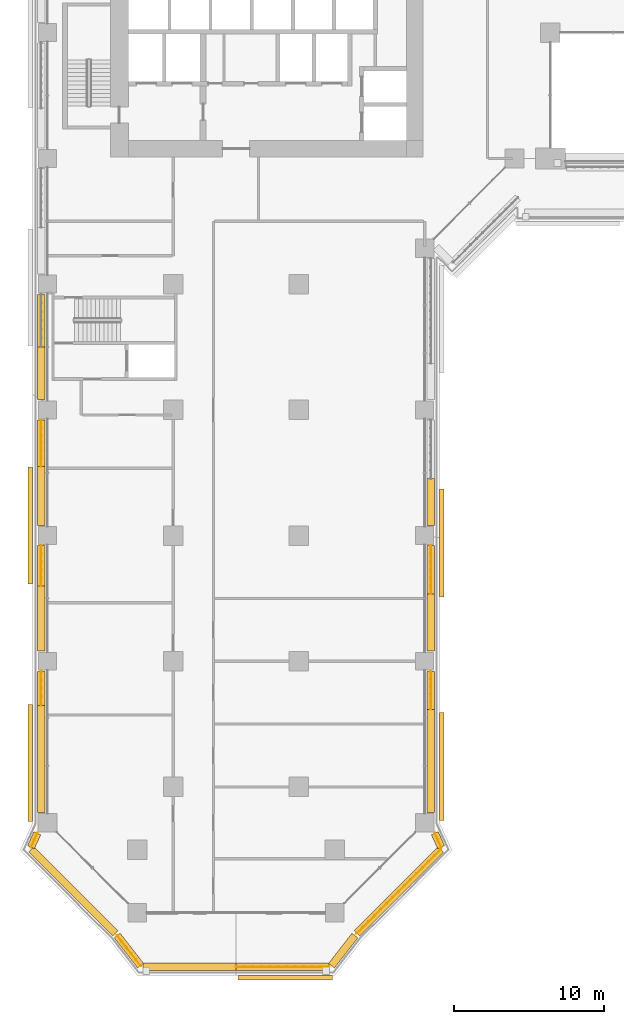
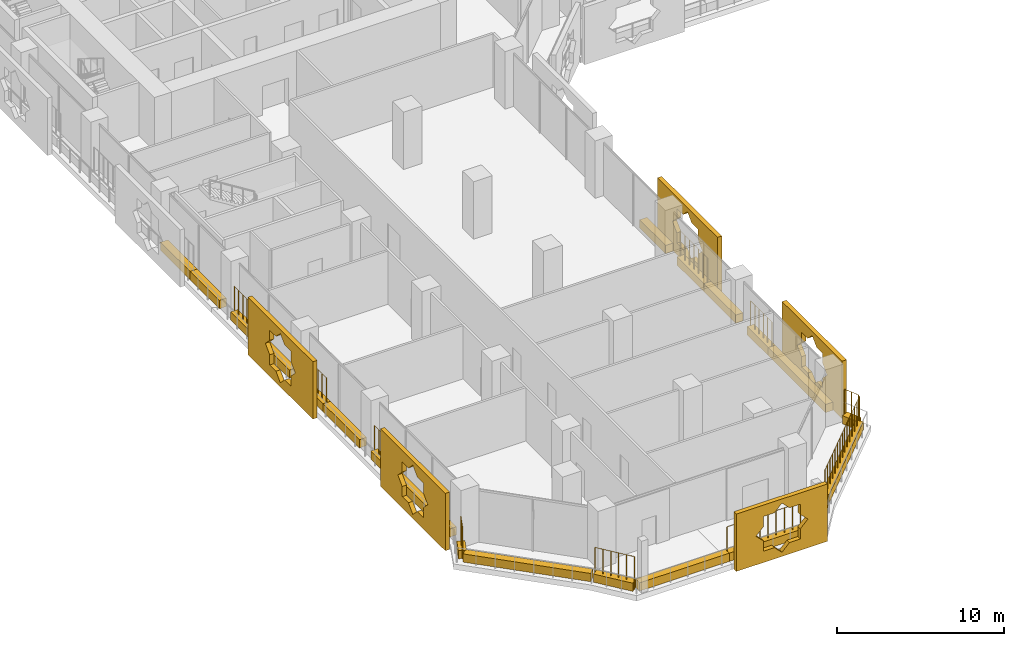
# One storey, part 18 of 27: 26 coverings, 10 railings.
"""IFC4 building model written with IfcOpenShell, lengths in metres."""

from ifc_helpers import new_model, si_unit, direction, frame, origin, origin_2d, place, context, subcontext, project, spatial, polyline, rectangle, circle, outline, extrude, material, material_profile, profile_set, type_object, element, save


model = new_model("IFC4")

# Units and contexts
model_context = context("Model", 3, precision=1e-05, world=origin(), true_north=direction((0.0, 1.0)))
body_context = subcontext(model_context, "Body", "Model", "MODEL_VIEW")
ifc_project = project(units=[si_unit("LENGTHUNIT", "METRE"), si_unit("AREAUNIT", "SQUARE_METRE"), si_unit("VOLUMEUNIT", "CUBIC_METRE"), si_unit("PLANEANGLEUNIT", "RADIAN"), si_unit("MASSUNIT", "GRAM", prefix="KILO")], contexts=[model_context])

# Site, building, storey
site_placement = place(None, origin())
site = spatial("IfcSite", under=ifc_project, at=site_placement, CompositionType="ELEMENT")
building_placement = place(site_placement, origin())
building = spatial("IfcBuilding", under=site, at=building_placement, Name="Kawkab Arch Medical Tower", CompositionType="ELEMENT")
storey_placement = place(building_placement, frame((0.0, 0.0, 43.39990234375)))
storey = spatial("IfcBuildingStorey", under=building, at=storey_placement, Name="L09", CompositionType="ELEMENT", Elevation=43.39990234375)

# Coverings
ifc_material_1 = material(Name="Bronze anodised aluminium mashrabiya panel, eight-point star pattern", Category="aluminium")
ifc_material_profile_1 = material_profile(ifc_material_1, outline(polyline([(-3.14990234375, -2.10009765625), (3.14990234375, -2.10009765625), (3.14990234375, 2.10009765625), (-3.14990234375, 2.10009765625), (-3.14990234375, -2.10009765625)]), holes=[polyline([(1.800048828125, 0.0), (1.272705078125, 0.527099609375), (1.272705078125, 1.272705078125), (0.527099609375, 1.272705078125), (0.0, 1.800048828125), (-0.527099609375, 1.272705078125), (-1.272705078125, 1.272705078125), (-1.272705078125, 0.527099609375), (-1.800048828125, 0.0), (-1.272705078125, -0.527099609375), (-1.272705078125, -1.272705078125), (-0.527099609375, -1.272705078125), (0.0, -1.800048828125), (0.527099609375, -1.272705078125), (1.272705078125, -1.272705078125), (1.272705078125, -0.527099609375), (1.800048828125, 0.0)])]), Name="Mashrabiya panel 6300x4200")
ifc_profile_set_1 = profile_set([ifc_material_profile_1], Name="Bronze anodised aluminium mashrabiya panel, eight-point star pattern")
covering_type_1 = type_object("IfcCoveringType", Name="Mashrabiya panel 6300 x 4200", PredefinedType="USERDEFINED", material=ifc_profile_set_1)
covering_1_placement = place(storey_placement, frame((15.877685546875, -79.800048828125, 1.7001953125), z_axis=(0.0, -1.0, 0.0), x_axis=(1.0, 0.0, 0.0)))
element("IfcCovering", 1, at=covering_1_placement, inside=storey, type_object=covering_type_1, Name="Mashrabiya panel L09.LOG-01-02.1", ObjectType="SCREEN", PredefinedType="USERDEFINED", context=body_context, shape_type="SweptSolid", body=[
    extrude(outline(polyline([(-3.14990234375, -2.10009765625), (3.14990234375, -2.10009765625), (3.14990234375, 2.10009765625), (-3.14990234375, 2.10009765625), (-3.14990234375, -2.10009765625)]), holes=[polyline([(1.800048828125, 0.0), (1.272705078125, 0.527099609375), (1.272705078125, 1.272705078125), (0.527099609375, 1.272705078125), (0.0, 1.800048828125), (-0.527099609375, 1.272705078125), (-1.272705078125, 1.272705078125), (-1.272705078125, 0.527099609375), (-1.800048828125, 0.0), (-1.272705078125, -0.527099609375), (-1.272705078125, -1.272705078125), (-0.527099609375, -1.272705078125), (0.0, -1.800048828125), (0.527099609375, -1.272705078125), (1.272705078125, -1.272705078125), (1.272705078125, -0.527099609375), (1.800048828125, 0.0)])]), origin(), (0.0, 0.0, 1.0), 0.300048828125),
])
ifc_material_2 = material(Name="Bronze anodised aluminium mashrabiya panel, eight-point star pattern", Category="aluminium")
ifc_material_profile_2 = material_profile(ifc_material_2, outline(polyline([(-3.60009765625, -2.10009765625), (3.60009765625, -2.10009765625), (3.60009765625, 2.10009765625), (-3.60009765625, 2.10009765625), (-3.60009765625, -2.10009765625)]), holes=[polyline([(1.800048828125, 0.0), (1.272705078125, 0.527099609375), (1.272705078125, 1.272705078125), (0.527099609375, 1.272705078125), (0.0, 1.800048828125), (-0.527099609375, 1.272705078125), (-1.272705078125, 1.272705078125), (-1.272705078125, 0.527099609375), (-1.800048828125, 0.0), (-1.272705078125, -0.527099609375), (-1.272705078125, -1.272705078125), (-0.527099609375, -1.272705078125), (0.0, -1.800048828125), (0.527099609375, -1.272705078125), (1.272705078125, -1.272705078125), (1.272705078125, -0.527099609375), (1.800048828125, 0.0)])]), Name="Mashrabiya panel 7200x4200")
ifc_profile_set_2 = profile_set([ifc_material_profile_2], Name="Bronze anodised aluminium mashrabiya panel, eight-point star pattern")
covering_type_2 = type_object("IfcCoveringType", Name="Mashrabiya panel 7200 x 4200", PredefinedType="USERDEFINED", material=ifc_profile_set_2)
for number, where, z_axis, x_axis, name in (
    (2, (26.199951171875, -50.892333984375, 1.7001953125), (1.0, 0.0, 0.0), (0.0, 1.0, 0.0), "Mashrabiya panel L09.LOG-01-02.17"),
    (3, (26.199951171875, -65.840087890625, 1.7001953125), (1.0, 0.0, 0.0), (0.0, 1.0, 0.0), "Mashrabiya panel L09.LOG-01-02.18"),
):
    element("IfcCovering", number, at=place(storey_placement, frame(where, z_axis=z_axis, x_axis=x_axis)), inside=storey, type_object=covering_type_2, Name=name, ObjectType="SCREEN", PredefinedType="USERDEFINED", context=body_context, shape_type="SweptSolid", body=[
        extrude(outline(polyline([(-3.60009765625, -2.10009765625), (3.60009765625, -2.10009765625), (3.60009765625, 2.10009765625), (-3.60009765625, 2.10009765625), (-3.60009765625, -2.10009765625)]), holes=[polyline([(1.800048828125, 0.0), (1.272705078125, 0.527099609375), (1.272705078125, 1.272705078125), (0.527099609375, 1.272705078125), (0.0, 1.800048828125), (-0.527099609375, 1.272705078125), (-1.272705078125, 1.272705078125), (-1.272705078125, 0.527099609375), (-1.800048828125, 0.0), (-1.272705078125, -0.527099609375), (-1.272705078125, -1.272705078125), (-0.527099609375, -1.272705078125), (0.0, -1.800048828125), (0.527099609375, -1.272705078125), (1.272705078125, -1.272705078125), (1.272705078125, -0.527099609375), (1.800048828125, 0.0)])]), origin(), (0.0, 0.0, 1.0), 0.300048828125),
    ])
ifc_material_3 = material(Name="Bronze anodised aluminium mashrabiya panel, eight-point star pattern", Category="aluminium")
ifc_material_profile_3 = material_profile(ifc_material_3, outline(polyline([(-3.89990234375, -2.10009765625), (3.89990234375, -2.10009765625), (3.89990234375, 2.10009765625), (-3.89990234375, 2.10009765625), (-3.89990234375, -2.10009765625)]), holes=[polyline([(1.800048828125, 0.0), (1.272705078125, 0.527099609375), (1.272705078125, 1.272705078125), (0.527099609375, 1.272705078125), (0.0, 1.800048828125), (-0.527099609375, 1.272705078125), (-1.272705078125, 1.272705078125), (-1.272705078125, 0.527099609375), (-1.800048828125, 0.0), (-1.272705078125, -0.527099609375), (-1.272705078125, -1.272705078125), (-0.527099609375, -1.272705078125), (0.0, -1.800048828125), (0.527099609375, -1.272705078125), (1.272705078125, -1.272705078125), (1.272705078125, -0.527099609375), (1.800048828125, 0.0)])]), Name="Mashrabiya panel 7800x4200")
ifc_profile_set_3 = profile_set([ifc_material_profile_3], Name="Bronze anodised aluminium mashrabiya panel, eight-point star pattern")
covering_type_3 = type_object("IfcCoveringType", Name="Mashrabiya panel 7800 x 4200", PredefinedType="USERDEFINED", material=ifc_profile_set_3)
for number, where, z_axis, x_axis, name in (
    (4, (-1.0, -65.60693359375, 1.7001953125), (-1.0, 0.0, 0.0), (0.0, -1.0, 0.0), "Mashrabiya panel L09.LOG-01-02.2"),
    (5, (-1.0, -49.725830078125, 1.7001953125), (-1.0, 0.0, 0.0), (0.0, -1.0, 0.0), "Mashrabiya panel L09.LOG-01-02.3"),
):
    element("IfcCovering", number, at=place(storey_placement, frame(where, z_axis=z_axis, x_axis=x_axis)), inside=storey, type_object=covering_type_3, Name=name, ObjectType="SCREEN", PredefinedType="USERDEFINED", context=body_context, shape_type="SweptSolid", body=[
        extrude(outline(polyline([(-3.89990234375, -2.10009765625), (3.89990234375, -2.10009765625), (3.89990234375, 2.10009765625), (-3.89990234375, 2.10009765625), (-3.89990234375, -2.10009765625)]), holes=[polyline([(1.800048828125, 0.0), (1.272705078125, 0.527099609375), (1.272705078125, 1.272705078125), (0.527099609375, 1.272705078125), (0.0, 1.800048828125), (-0.527099609375, 1.272705078125), (-1.272705078125, 1.272705078125), (-1.272705078125, 0.527099609375), (-1.800048828125, 0.0), (-1.272705078125, -0.527099609375), (-1.272705078125, -1.272705078125), (-0.527099609375, -1.272705078125), (0.0, -1.800048828125), (0.527099609375, -1.272705078125), (1.272705078125, -1.272705078125), (1.272705078125, -0.527099609375), (1.800048828125, 0.0)])]), origin(), (0.0, 0.0, 1.0), 0.300048828125),
    ])
ifc_material_4 = material(Name="Planting soil in a precast trough", Category="concrete")
ifc_material_profile_4 = material_profile(ifc_material_4, rectangle(XDim=0.5, YDim=0.60009765625, at=origin_2d()), Name="Trough 500x600")
ifc_profile_set_4 = profile_set([ifc_material_profile_4], Name="Planting soil in a precast trough")
covering_type_4 = type_object("IfcCoveringType", Name="Planter trough 500 x 600", PredefinedType="USERDEFINED", material=ifc_profile_set_4)
covering_2_placement = place(storey_placement, frame((26.27294921875, -71.383056640625, 0.300048828125), z_axis=(-0.707106781187, -0.707106781187, 0.0), x_axis=(0.707106781187, -0.707106781187, 0.0)))
element("IfcCovering", 6, at=covering_2_placement, inside=storey, type_object=covering_type_4, Name="Planter L09.LOG-01-02.1", ObjectType="PLANTER", PredefinedType="USERDEFINED", context=body_context, shape_type="SweptSolid", body=[
    extrude(rectangle(XDim=0.5, YDim=0.60009765625, at=origin_2d()), origin(), (0.0, 0.0, 1.0), 7.91943359375),
])
covering_3_placement = place(storey_placement, frame((20.541015625, -77.132080078125, 0.300048828125), z_axis=(-0.61404021143, -0.789274742246, 0.0), x_axis=(0.789274742246, -0.61404021143, 0.0)))
element("IfcCovering", 7, at=covering_3_placement, inside=storey, type_object=covering_type_4, Name="Planter L09.LOG-01-02.2", ObjectType="PLANTER", PredefinedType="USERDEFINED", context=body_context, shape_type="SweptSolid", body=[
    extrude(rectangle(XDim=0.5, YDim=0.60009765625, at=origin_2d()), origin(), (0.0, 0.0, 1.0), 2.54541015625),
])
covering_4_placement = place(storey_placement, frame((18.81591796875, -79.219970703125, 0.300048828125), z_axis=(-1.0, 0.0, 0.0), x_axis=(0.0, -1.0, 0.0)))
element("IfcCovering", 8, at=covering_4_placement, inside=storey, type_object=covering_type_4, Name="Planter L09.LOG-01-02.3", ObjectType="PLANTER", PredefinedType="USERDEFINED", context=body_context, shape_type="SweptSolid", body=[
    extrude(rectangle(XDim=0.5, YDim=0.60009765625, at=origin_2d()), origin(), (0.0, 0.0, 1.0), 6.2158203125),
])
covering_5_placement = place(storey_placement, frame((12.60009765625, -79.219970703125, 0.300048828125), z_axis=(-1.0, 0.0, 0.0), x_axis=(0.0, -1.0, 0.0)))
element("IfcCovering", 9, at=covering_5_placement, inside=storey, type_object=covering_type_4, Name="Planter L09.LOG-01-02.4", ObjectType="PLANTER", PredefinedType="USERDEFINED", context=body_context, shape_type="SweptSolid", body=[
    extrude(rectangle(XDim=0.5, YDim=0.60009765625, at=origin_2d()), origin(), (0.0, 0.0, 1.0), 6.216064453125),
])
covering_6_placement = place(storey_placement, frame((6.221923828125, -79.14111328125, 0.300048828125), z_axis=(-0.61404021143, 0.789274742246, 0.0), x_axis=(-0.789274742246, -0.61404021143, 0.0)))
element("IfcCovering", 10, at=covering_6_placement, inside=storey, type_object=covering_type_4, Name="Planter L09.LOG-01-02.5", ObjectType="PLANTER", PredefinedType="USERDEFINED", context=body_context, shape_type="SweptSolid", body=[
    extrude(rectangle(XDim=0.5, YDim=0.60009765625, at=origin_2d()), origin(), (0.0, 0.0, 1.0), 2.54541015625),
])
covering_7_placement = place(storey_placement, frame((4.527099609375, -76.98291015625, 0.300048828125), z_axis=(-0.70712219479, 0.707091367247, 0.0), x_axis=(-0.707091367247, -0.70712219479, 0.0)))
element("IfcCovering", 11, at=covering_7_placement, inside=storey, type_object=covering_type_4, Name="Planter L09.LOG-01-02.6", ObjectType="PLANTER", PredefinedType="USERDEFINED", context=body_context, shape_type="SweptSolid", body=[
    extrude(rectangle(XDim=0.5, YDim=0.60009765625, at=origin_2d()), origin(), (0.0, 0.0, 1.0), 7.919677734375),
])
covering_8_placement = place(storey_placement, frame((-1.10205078125, -71.220947265625, 0.300048828125), z_axis=(0.415162454874, 0.909747292419, 0.0), x_axis=(-0.909747292419, 0.415162454874, 0.0)))
element("IfcCovering", 12, at=covering_8_placement, inside=storey, type_object=covering_type_4, Name="Planter L09.LOG-01-02.7", ObjectType="PLANTER", PredefinedType="USERDEFINED", context=body_context, shape_type="SweptSolid", body=[
    extrude(rectangle(XDim=0.5, YDim=0.60009765625, at=origin_2d()), origin(), (0.0, 0.0, 1.0), 1.014404296875),
])
covering_9_placement = place(storey_placement, frame((-0.419921875, -68.89501953125, 0.300048828125), z_axis=(0.0, 1.0, 0.0), x_axis=(-1.0, 0.0, 0.0)))
element("IfcCovering", 13, at=covering_9_placement, inside=storey, type_object=covering_type_4, Name="Planter L09.LOG-01-02.8", ObjectType="PLANTER", PredefinedType="USERDEFINED", context=body_context, shape_type="SweptSolid", body=[
    extrude(rectangle(XDim=0.5, YDim=0.60009765625, at=origin_2d()), origin(), (0.0, 0.0, 1.0), 7.151123046875),
])
covering_10_placement = place(storey_placement, frame((-0.419921875, -61.743896484375, 0.300048828125), z_axis=(0.0, 1.0, 0.0), x_axis=(-1.0, 0.0, 0.0)))
element("IfcCovering", 14, at=covering_10_placement, inside=storey, type_object=covering_type_4, Name="Planter L09.LOG-01-02.9", ObjectType="PLANTER", PredefinedType="USERDEFINED", context=body_context, shape_type="SweptSolid", body=[
    extrude(rectangle(XDim=0.5, YDim=0.60009765625, at=origin_2d()), origin(), (0.0, 0.0, 1.0), 2.263916015625),
])
covering_11_placement = place(storey_placement, frame((-0.419921875, -58.1201171875, 0.300048828125), z_axis=(0.0, 1.0, 0.0), x_axis=(-1.0, 0.0, 0.0)))
element("IfcCovering", 15, at=covering_11_placement, inside=storey, type_object=covering_type_4, Name="Planter L09.LOG-01-02.10", ObjectType="PLANTER", PredefinedType="USERDEFINED", context=body_context, shape_type="SweptSolid", body=[
    extrude(rectangle(XDim=0.5, YDim=0.60009765625, at=origin_2d()), origin(), (0.0, 0.0, 1.0), 4.357177734375),
])
covering_12_placement = place(storey_placement, frame((-0.419921875, -53.762939453125, 0.300048828125), z_axis=(0.0, 1.0, 0.0), x_axis=(-1.0, 0.0, 0.0)))
element("IfcCovering", 16, at=covering_12_placement, inside=storey, type_object=covering_type_4, Name="Planter L09.LOG-01-02.11", ObjectType="PLANTER", PredefinedType="USERDEFINED", context=body_context, shape_type="SweptSolid", body=[
    extrude(rectangle(XDim=0.5, YDim=0.60009765625, at=origin_2d()), origin(), (0.0, 0.0, 1.0), 2.682861328125),
])
covering_13_placement = place(storey_placement, frame((-0.419921875, -49.719970703125, 0.300048828125), z_axis=(0.0, 1.0, 0.0), x_axis=(-1.0, 0.0, 0.0)))
element("IfcCovering", 17, at=covering_13_placement, inside=storey, type_object=covering_type_4, Name="Planter L09.LOG-01-02.12", ObjectType="PLANTER", PredefinedType="USERDEFINED", context=body_context, shape_type="SweptSolid", body=[
    extrude(rectangle(XDim=0.5, YDim=0.60009765625, at=origin_2d()), origin(), (0.0, 0.0, 1.0), 3.93896484375),
])
covering_14_placement = place(storey_placement, frame((-0.419921875, -45.781005859375, 0.300048828125), z_axis=(0.0, 1.0, 0.0), x_axis=(-1.0, 0.0, 0.0)))
element("IfcCovering", 18, at=covering_14_placement, inside=storey, type_object=covering_type_4, Name="Planter L09.LOG-01-02.13", ObjectType="PLANTER", PredefinedType="USERDEFINED", context=body_context, shape_type="SweptSolid", body=[
    extrude(rectangle(XDim=0.5, YDim=0.60009765625, at=origin_2d()), origin(), (0.0, 0.0, 1.0), 3.10107421875),
])
for number, where, z_axis, x_axis, name in (
    (19, (-0.419921875, -41.320068359375, 0.300048828125), (0.0, 1.0, 0.0), (-1.0, 0.0, 0.0), "Planter L09.LOG-01-02.14"),
    (20, (-0.419921875, -37.800048828125, 0.300048828125), (0.0, 1.0, 0.0), (-1.0, 0.0, 0.0), "Planter L09.LOG-01-02.15"),
):
    element("IfcCovering", number, at=place(storey_placement, frame(where, z_axis=z_axis, x_axis=x_axis)), inside=storey, type_object=covering_type_4, Name=name, ObjectType="PLANTER", PredefinedType="USERDEFINED", context=body_context, shape_type="SweptSolid", body=[
        extrude(rectangle(XDim=0.5, YDim=0.60009765625, at=origin_2d()), origin(), (0.0, 0.0, 1.0), 3.52001953125),
    ])
covering_15_placement = place(storey_placement, frame((25.6201171875, -46.60107421875, 0.300048828125), z_axis=(0.0, -1.0, 0.0), x_axis=(1.0, 0.0, 0.0)))
element("IfcCovering", 21, at=covering_15_placement, inside=storey, type_object=covering_type_4, Name="Planter L09.LOG-01-02.52", ObjectType="PLANTER", PredefinedType="USERDEFINED", context=body_context, shape_type="SweptSolid", body=[
    extrude(rectangle(XDim=0.5, YDim=0.60009765625, at=origin_2d()), origin(), (0.0, 0.0, 1.0), 3.118896484375),
])
covering_16_placement = place(storey_placement, frame((25.6201171875, -51.080078125, 0.300048828125), z_axis=(0.0, -1.0, 0.0), x_axis=(1.0, 0.0, 0.0)))
element("IfcCovering", 22, at=covering_16_placement, inside=storey, type_object=covering_type_4, Name="Planter L09.LOG-01-02.53", ObjectType="PLANTER", PredefinedType="USERDEFINED", context=body_context, shape_type="SweptSolid", body=[
    extrude(rectangle(XDim=0.5, YDim=0.60009765625, at=origin_2d()), origin(), (0.0, 0.0, 1.0), 3.22900390625),
])
covering_17_placement = place(storey_placement, frame((25.6201171875, -54.30908203125, 0.300048828125), z_axis=(0.0, -1.0, 0.0), x_axis=(1.0, 0.0, 0.0)))
element("IfcCovering", 23, at=covering_17_placement, inside=storey, type_object=covering_type_4, Name="Planter L09.LOG-01-02.54", ObjectType="PLANTER", PredefinedType="USERDEFINED", context=body_context, shape_type="SweptSolid", body=[
    extrude(rectangle(XDim=0.5, YDim=0.60009765625, at=origin_2d()), origin(), (0.0, 0.0, 1.0), 3.81103515625),
])
covering_18_placement = place(storey_placement, frame((25.6201171875, -59.47998046875, 0.300048828125), z_axis=(0.0, -1.0, 0.0), x_axis=(1.0, 0.0, 0.0)))
element("IfcCovering", 24, at=covering_18_placement, inside=storey, type_object=covering_type_4, Name="Planter L09.LOG-01-02.55", ObjectType="PLANTER", PredefinedType="USERDEFINED", context=body_context, shape_type="SweptSolid", body=[
    extrude(rectangle(XDim=0.5, YDim=0.60009765625, at=origin_2d()), origin(), (0.0, 0.0, 1.0), 2.5380859375),
])
covering_19_placement = place(storey_placement, frame((25.6201171875, -62.01806640625, 0.300048828125), z_axis=(0.0, -1.0, 0.0), x_axis=(1.0, 0.0, 0.0)))
element("IfcCovering", 25, at=covering_19_placement, inside=storey, type_object=covering_type_4, Name="Planter L09.LOG-01-02.56", ObjectType="PLANTER", PredefinedType="USERDEFINED", context=body_context, shape_type="SweptSolid", body=[
    extrude(rectangle(XDim=0.5, YDim=0.60009765625, at=origin_2d()), origin(), (0.0, 0.0, 1.0), 6.876953125),
])
covering_20_placement = place(storey_placement, frame((25.881103515625, -70.298095703125, 0.300048828125), z_axis=(0.414963233652, -0.909838180512, 0.0), x_axis=(0.909838180512, 0.414963233652, 0.0)))
element("IfcCovering", 26, at=covering_20_placement, inside=storey, type_object=covering_type_4, Name="Planter L09.LOG-01-02.57", ObjectType="PLANTER", PredefinedType="USERDEFINED", context=body_context, shape_type="SweptSolid", body=[
    extrude(rectangle(XDim=0.5, YDim=0.60009765625, at=origin_2d()), origin(), (0.0, 0.0, 1.0), 1.014404296875),
])

# Railings
ifc_material_5 = material(Name="Bronze anodised aluminium trellis for climbing plants", Category="aluminium")
railing_type = type_object("IfcRailingType", Name="Planting trellis 2400", PredefinedType="USERDEFINED", material=ifc_material_5)
railing_1_placement = place(storey_placement, frame((26.27294921875, -71.383056640625, 0.0)))
element("IfcRailing", 27, at=railing_1_placement, inside=storey, type_object=railing_type, Name="Planting trellis L09.LOG-01-02.1", ObjectType="TRELLIS", PredefinedType="USERDEFINED", context=body_context, shape_type="SweptSolid", body=[
    extrude(circle(Radius=0.01513671875, at=origin_2d()), frame((0.0, 0.0, 2.384765625), z_axis=(-0.707106781187, -0.707106781187, 0.0), x_axis=(0.707106781187, -0.707106781187, 0.0)), (0.0, 0.0, 1.0), 7.91943359375),
    extrude(circle(Radius=0.030029296875, at=origin_2d()), origin(), (0.0, 0.0, 1.0), 2.369873046875),
    extrude(circle(Radius=0.030029296875, at=origin_2d()), frame((-0.39990234375, -0.39990234375, 0.0)), (0.0, 0.0, 1.0), 2.369873046875),
    extrude(circle(Radius=0.030029296875, at=origin_2d()), frame((-0.800048828125, -0.800048828125, 0.0)), (0.0, 0.0, 1.0), 2.369873046875),
    extrude(circle(Radius=0.030029296875, at=origin_2d()), frame((-1.199951171875, -1.199951171875, 0.0)), (0.0, 0.0, 1.0), 2.369873046875),
    extrude(circle(Radius=0.030029296875, at=origin_2d()), frame((-1.599853515625, -1.599853515625, 0.0)), (0.0, 0.0, 1.0), 2.369873046875),
    extrude(circle(Radius=0.030029296875, at=origin_2d()), frame((-2.0, -2.0, 0.0)), (0.0, 0.0, 1.0), 2.369873046875),
    extrude(circle(Radius=0.030029296875, at=origin_2d()), frame((-2.39990234375, -2.39990234375, 0.0)), (0.0, 0.0, 1.0), 2.369873046875),
    extrude(circle(Radius=0.030029296875, at=origin_2d()), frame((-2.7998046875, -2.7998046875, 0.0)), (0.0, 0.0, 1.0), 2.369873046875),
    extrude(circle(Radius=0.030029296875, at=origin_2d()), frame((-3.199951171875, -3.199951171875, 0.0)), (0.0, 0.0, 1.0), 2.369873046875),
    extrude(circle(Radius=0.030029296875, at=origin_2d()), frame((-3.599853515625, -3.599853515625, 0.0)), (0.0, 0.0, 1.0), 2.369873046875),
    extrude(circle(Radius=0.030029296875, at=origin_2d()), frame((-4.0, -4.0, 0.0)), (0.0, 0.0, 1.0), 2.369873046875),
    extrude(circle(Radius=0.030029296875, at=origin_2d()), frame((-4.39990234375, -4.39990234375, 0.0)), (0.0, 0.0, 1.0), 2.369873046875),
    extrude(circle(Radius=0.030029296875, at=origin_2d()), frame((-4.7998046875, -4.7998046875, 0.0)), (0.0, 0.0, 1.0), 2.369873046875),
    extrude(circle(Radius=0.030029296875, at=origin_2d()), frame((-5.199951171875, -5.199951171875, 0.0)), (0.0, 0.0, 1.0), 2.369873046875),
    extrude(circle(Radius=0.030029296875, at=origin_2d()), frame((-5.599853515625, -5.599853515625, 0.0)), (0.0, 0.0, 1.0), 2.369873046875),
])
railing_2_placement = place(storey_placement, frame((18.81591796875, -79.219970703125, 0.0)))
element("IfcRailing", 28, at=railing_2_placement, inside=storey, type_object=railing_type, Name="Planting trellis L09.LOG-01-02.3", ObjectType="TRELLIS", PredefinedType="USERDEFINED", context=body_context, shape_type="SweptSolid", body=[
    extrude(circle(Radius=0.01513671875, at=origin_2d()), frame((0.0, 0.0, 2.384765625), z_axis=(-1.0, 0.0, 0.0), x_axis=(0.0, -1.0, 0.0)), (0.0, 0.0, 1.0), 6.2158203125),
    extrude(circle(Radius=0.030029296875, at=origin_2d()), origin(), (0.0, 0.0, 1.0), 2.369873046875),
    extrude(circle(Radius=0.030029296875, at=origin_2d()), frame((-0.565185546875, 0.0, 0.0)), (0.0, 0.0, 1.0), 2.369873046875),
    extrude(circle(Radius=0.030029296875, at=origin_2d()), frame((-1.130126953125, 0.0, 0.0)), (0.0, 0.0, 1.0), 2.369873046875),
    extrude(circle(Radius=0.030029296875, at=origin_2d()), frame((-1.6953125, 0.0, 0.0)), (0.0, 0.0, 1.0), 2.369873046875),
    extrude(circle(Radius=0.030029296875, at=origin_2d()), frame((-2.26025390625, 0.0, 0.0)), (0.0, 0.0, 1.0), 2.369873046875),
    extrude(circle(Radius=0.030029296875, at=origin_2d()), frame((-2.825439453125, 0.0, 0.0)), (0.0, 0.0, 1.0), 2.369873046875),
    extrude(circle(Radius=0.030029296875, at=origin_2d()), frame((-3.390380859375, 0.0, 0.0)), (0.0, 0.0, 1.0), 2.369873046875),
    extrude(circle(Radius=0.030029296875, at=origin_2d()), frame((-3.95556640625, 0.0, 0.0)), (0.0, 0.0, 1.0), 2.369873046875),
    extrude(circle(Radius=0.030029296875, at=origin_2d()), frame((-4.5205078125, 0.0, 0.0)), (0.0, 0.0, 1.0), 2.369873046875),
    extrude(circle(Radius=0.030029296875, at=origin_2d()), frame((-5.085693359375, 0.0, 0.0)), (0.0, 0.0, 1.0), 2.369873046875),
    extrude(circle(Radius=0.030029296875, at=origin_2d()), frame((-5.650634765625, 0.0, 0.0)), (0.0, 0.0, 1.0), 2.369873046875),
    extrude(circle(Radius=0.030029296875, at=origin_2d()), frame((-6.2158203125, 0.0, 0.0)), (0.0, 0.0, 1.0), 2.369873046875),
])
railing_3_placement = place(storey_placement, frame((6.221923828125, -79.14111328125, 0.0)))
element("IfcRailing", 29, at=railing_3_placement, inside=storey, type_object=railing_type, Name="Planting trellis L09.LOG-01-02.5", ObjectType="TRELLIS", PredefinedType="USERDEFINED", context=body_context, shape_type="SweptSolid", body=[
    extrude(circle(Radius=0.01513671875, at=origin_2d()), frame((0.0, 0.0, 2.384765625), z_axis=(-0.61404021143, 0.789274742246, 0.0), x_axis=(-0.789274742246, -0.61404021143, 0.0)), (0.0, 0.0, 1.0), 2.54541015625),
    extrude(circle(Radius=0.030029296875, at=origin_2d()), origin(), (0.0, 0.0, 1.0), 2.369873046875),
    extrude(circle(Radius=0.030029296875, at=origin_2d()), frame((-0.3125, 0.40185546875, 0.0)), (0.0, 0.0, 1.0), 2.369873046875),
    extrude(circle(Radius=0.030029296875, at=origin_2d()), frame((-0.625244140625, 0.8037109375, 0.0)), (0.0, 0.0, 1.0), 2.369873046875),
    extrude(circle(Radius=0.030029296875, at=origin_2d()), frame((-0.937744140625, 1.205322265625, 0.0)), (0.0, 0.0, 1.0), 2.369873046875),
    extrude(circle(Radius=0.030029296875, at=origin_2d()), frame((-1.25048828125, 1.607177734375, 0.0)), (0.0, 0.0, 1.0), 2.369873046875),
    extrude(circle(Radius=0.030029296875, at=origin_2d()), frame((-1.56298828125, 2.009033203125, 0.0)), (0.0, 0.0, 1.0), 2.369873046875),
])
railing_4_placement = place(storey_placement, frame((-1.10205078125, -71.220947265625, 0.0)))
element("IfcRailing", 30, at=railing_4_placement, inside=storey, type_object=railing_type, Name="Planting trellis L09.LOG-01-02.7", ObjectType="TRELLIS", PredefinedType="USERDEFINED", context=body_context, shape_type="SweptSolid", body=[
    extrude(circle(Radius=0.01513671875, at=origin_2d()), frame((0.0, 0.0, 2.384765625), z_axis=(0.415162454874, 0.909747292419, 0.0), x_axis=(-0.909747292419, 0.415162454874, 0.0)), (0.0, 0.0, 1.0), 1.014404296875),
    extrude(circle(Radius=0.030029296875, at=origin_2d()), origin(), (0.0, 0.0, 1.0), 2.369873046875),
    extrude(circle(Radius=0.030029296875, at=origin_2d()), frame((0.21044921875, 0.46142578125, 0.0)), (0.0, 0.0, 1.0), 2.369873046875),
    extrude(circle(Radius=0.030029296875, at=origin_2d()), frame((0.421142578125, 0.9228515625, 0.0)), (0.0, 0.0, 1.0), 2.369873046875),
])
railing_5_placement = place(storey_placement, frame((-0.419921875, -61.743896484375, 0.0)))
element("IfcRailing", 31, at=railing_5_placement, inside=storey, type_object=railing_type, Name="Planting trellis L09.LOG-01-02.9", ObjectType="TRELLIS", PredefinedType="USERDEFINED", context=body_context, shape_type="SweptSolid", body=[
    extrude(circle(Radius=0.01513671875, at=origin_2d()), frame((0.0, 0.0, 2.384765625), z_axis=(0.0, 1.0, 0.0), x_axis=(-1.0, 0.0, 0.0)), (0.0, 0.0, 1.0), 2.263916015625),
    extrude(circle(Radius=0.030029296875, at=origin_2d()), origin(), (0.0, 0.0, 1.0), 2.369873046875),
    extrude(circle(Radius=0.030029296875, at=origin_2d()), frame((0.0, 0.56591796875, 0.0)), (0.0, 0.0, 1.0), 2.369873046875),
    extrude(circle(Radius=0.030029296875, at=origin_2d()), frame((0.0, 1.1318359375, 0.0)), (0.0, 0.0, 1.0), 2.369873046875),
    extrude(circle(Radius=0.030029296875, at=origin_2d()), frame((0.0, 1.697998046875, 0.0)), (0.0, 0.0, 1.0), 2.369873046875),
    extrude(circle(Radius=0.030029296875, at=origin_2d()), frame((0.0, 2.263916015625, 0.0)), (0.0, 0.0, 1.0), 2.369873046875),
])
railing_6_placement = place(storey_placement, frame((-0.419921875, -53.762939453125, 0.0)))
element("IfcRailing", 32, at=railing_6_placement, inside=storey, type_object=railing_type, Name="Planting trellis L09.LOG-01-02.11", ObjectType="TRELLIS", PredefinedType="USERDEFINED", context=body_context, shape_type="SweptSolid", body=[
    extrude(circle(Radius=0.01513671875, at=origin_2d()), frame((0.0, 0.0, 2.384765625), z_axis=(0.0, 1.0, 0.0), x_axis=(-1.0, 0.0, 0.0)), (0.0, 0.0, 1.0), 2.682861328125),
    extrude(circle(Radius=0.030029296875, at=origin_2d()), origin(), (0.0, 0.0, 1.0), 2.369873046875),
    extrude(circle(Radius=0.030029296875, at=origin_2d()), frame((0.0, 0.53662109375, 0.0)), (0.0, 0.0, 1.0), 2.369873046875),
    extrude(circle(Radius=0.030029296875, at=origin_2d()), frame((0.0, 1.0732421875, 0.0)), (0.0, 0.0, 1.0), 2.369873046875),
    extrude(circle(Radius=0.030029296875, at=origin_2d()), frame((0.0, 1.609619140625, 0.0)), (0.0, 0.0, 1.0), 2.369873046875),
    extrude(circle(Radius=0.030029296875, at=origin_2d()), frame((0.0, 2.146240234375, 0.0)), (0.0, 0.0, 1.0), 2.369873046875),
    extrude(circle(Radius=0.030029296875, at=origin_2d()), frame((0.0, 2.682861328125, 0.0)), (0.0, 0.0, 1.0), 2.369873046875),
])
railing_7_placement = place(storey_placement, frame((-0.419921875, -45.781005859375, 0.0)))
element("IfcRailing", 33, at=railing_7_placement, inside=storey, type_object=railing_type, Name="Planting trellis L09.LOG-01-02.13", ObjectType="TRELLIS", PredefinedType="USERDEFINED", context=body_context, shape_type="SweptSolid", body=[
    extrude(circle(Radius=0.01513671875, at=origin_2d()), frame((0.0, 0.0, 2.384765625), z_axis=(0.0, 1.0, 0.0), x_axis=(-1.0, 0.0, 0.0)), (0.0, 0.0, 1.0), 3.10107421875),
    extrude(circle(Radius=0.030029296875, at=origin_2d()), origin(), (0.0, 0.0, 1.0), 2.369873046875),
    extrude(circle(Radius=0.030029296875, at=origin_2d()), frame((0.0, 0.516845703125, 0.0)), (0.0, 0.0, 1.0), 2.369873046875),
    extrude(circle(Radius=0.030029296875, at=origin_2d()), frame((0.0, 1.03369140625, 0.0)), (0.0, 0.0, 1.0), 2.369873046875),
    extrude(circle(Radius=0.030029296875, at=origin_2d()), frame((0.0, 1.550537109375, 0.0)), (0.0, 0.0, 1.0), 2.369873046875),
    extrude(circle(Radius=0.030029296875, at=origin_2d()), frame((0.0, 2.0673828125, 0.0)), (0.0, 0.0, 1.0), 2.369873046875),
    extrude(circle(Radius=0.030029296875, at=origin_2d()), frame((0.0, 2.584228515625, 0.0)), (0.0, 0.0, 1.0), 2.369873046875),
    extrude(circle(Radius=0.030029296875, at=origin_2d()), frame((0.0, 3.10107421875, 0.0)), (0.0, 0.0, 1.0), 2.369873046875),
])
railing_8_placement = place(storey_placement, frame((25.6201171875, -51.080078125, 0.0)))
element("IfcRailing", 34, at=railing_8_placement, inside=storey, type_object=railing_type, Name="Planting trellis L09.LOG-01-02.53", ObjectType="TRELLIS", PredefinedType="USERDEFINED", context=body_context, shape_type="SweptSolid", body=[
    extrude(circle(Radius=0.01513671875, at=origin_2d()), frame((0.0, 0.0, 2.384765625), z_axis=(0.0, -1.0, 0.0), x_axis=(1.0, 0.0, 0.0)), (0.0, 0.0, 1.0), 3.22900390625),
    extrude(circle(Radius=0.030029296875, at=origin_2d()), origin(), (0.0, 0.0, 1.0), 2.369873046875),
    extrude(circle(Radius=0.030029296875, at=origin_2d()), frame((0.0, -0.5380859375, 0.0)), (0.0, 0.0, 1.0), 2.369873046875),
    extrude(circle(Radius=0.030029296875, at=origin_2d()), frame((0.0, -1.076416015625, 0.0)), (0.0, 0.0, 1.0), 2.369873046875),
    extrude(circle(Radius=0.030029296875, at=origin_2d()), frame((0.0, -1.614501953125, 0.0)), (0.0, 0.0, 1.0), 2.369873046875),
    extrude(circle(Radius=0.030029296875, at=origin_2d()), frame((0.0, -2.152587890625, 0.0)), (0.0, 0.0, 1.0), 2.369873046875),
    extrude(circle(Radius=0.030029296875, at=origin_2d()), frame((0.0, -2.69091796875, 0.0)), (0.0, 0.0, 1.0), 2.369873046875),
    extrude(circle(Radius=0.030029296875, at=origin_2d()), frame((0.0, -3.22900390625, 0.0)), (0.0, 0.0, 1.0), 2.369873046875),
])
railing_9_placement = place(storey_placement, frame((25.6201171875, -59.47998046875, 0.0)))
element("IfcRailing", 35, at=railing_9_placement, inside=storey, type_object=railing_type, Name="Planting trellis L09.LOG-01-02.55", ObjectType="TRELLIS", PredefinedType="USERDEFINED", context=body_context, shape_type="SweptSolid", body=[
    extrude(circle(Radius=0.01513671875, at=origin_2d()), frame((0.0, 0.0, 2.384765625), z_axis=(0.0, -1.0, 0.0), x_axis=(1.0, 0.0, 0.0)), (0.0, 0.0, 1.0), 2.5380859375),
    extrude(circle(Radius=0.030029296875, at=origin_2d()), origin(), (0.0, 0.0, 1.0), 2.369873046875),
    extrude(circle(Radius=0.030029296875, at=origin_2d()), frame((0.0, -0.507568359375, 0.0)), (0.0, 0.0, 1.0), 2.369873046875),
    extrude(circle(Radius=0.030029296875, at=origin_2d()), frame((0.0, -1.01513671875, 0.0)), (0.0, 0.0, 1.0), 2.369873046875),
    extrude(circle(Radius=0.030029296875, at=origin_2d()), frame((0.0, -1.52294921875, 0.0)), (0.0, 0.0, 1.0), 2.369873046875),
    extrude(circle(Radius=0.030029296875, at=origin_2d()), frame((0.0, -2.030517578125, 0.0)), (0.0, 0.0, 1.0), 2.369873046875),
    extrude(circle(Radius=0.030029296875, at=origin_2d()), frame((0.0, -2.5380859375, 0.0)), (0.0, 0.0, 1.0), 2.369873046875),
])
railing_10_placement = place(storey_placement, frame((25.881103515625, -70.298095703125, 0.0)))
element("IfcRailing", 36, at=railing_10_placement, inside=storey, type_object=railing_type, Name="Planting trellis L09.LOG-01-02.57", ObjectType="TRELLIS", PredefinedType="USERDEFINED", context=body_context, shape_type="SweptSolid", body=[
    extrude(circle(Radius=0.01513671875, at=origin_2d()), frame((0.0, 0.0, 2.384765625), z_axis=(0.414963233652, -0.909838180512, 0.0), x_axis=(0.909838180512, 0.414963233652, 0.0)), (0.0, 0.0, 1.0), 1.014404296875),
    extrude(circle(Radius=0.030029296875, at=origin_2d()), origin(), (0.0, 0.0, 1.0), 2.369873046875),
    extrude(circle(Radius=0.030029296875, at=origin_2d()), frame((0.21044921875, -0.46142578125, 0.0)), (0.0, 0.0, 1.0), 2.369873046875),
    extrude(circle(Radius=0.030029296875, at=origin_2d()), frame((0.4208984375, -0.9228515625, 0.0)), (0.0, 0.0, 1.0), 2.369873046875),
])

save(model, "model.ifc")
